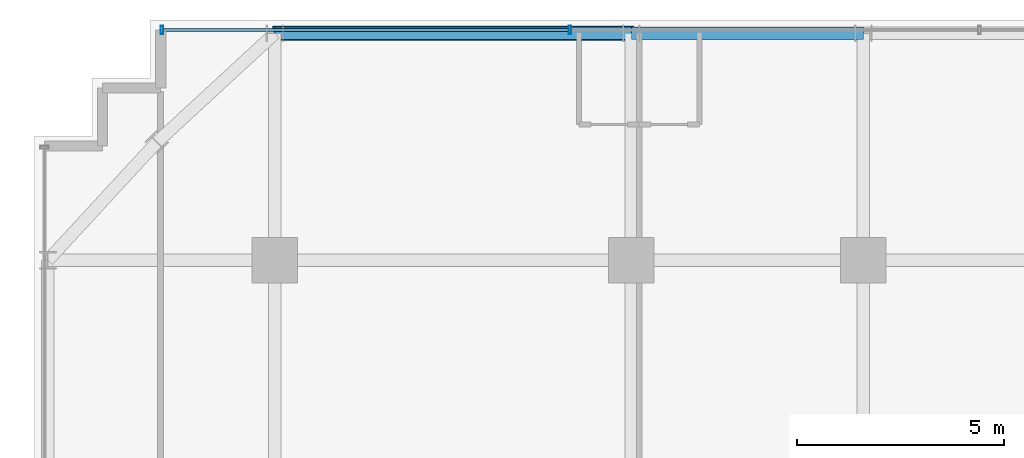
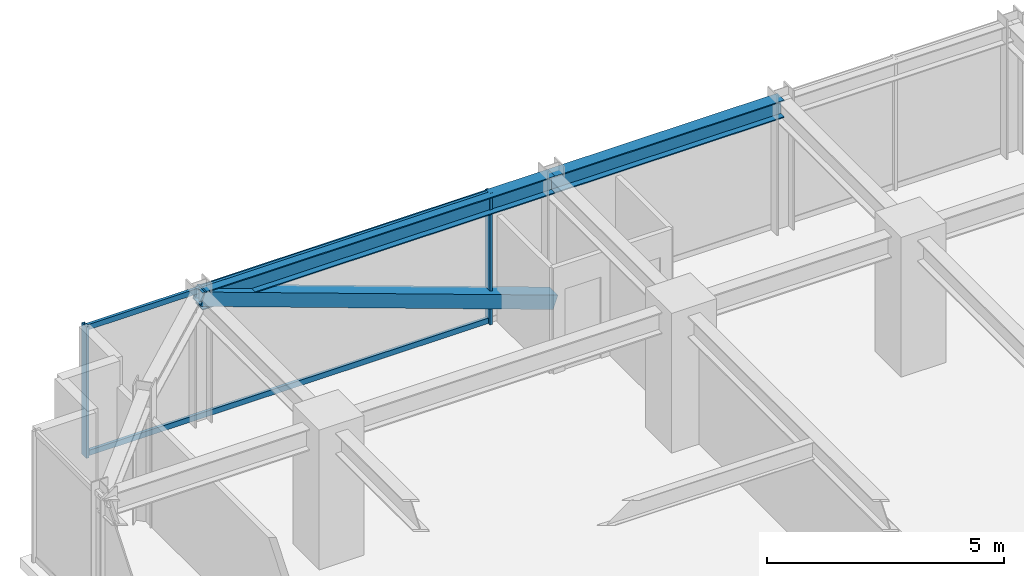
# One storey, part 22 of 35: 5 members, 2 beams, 1 element without a shape of its own.
"""IFC4 building model written with IfcOpenShell, lengths in metres."""

from ifc_helpers import new_model, si_unit, direction, frame, origin, origin_2d, place, context, subcontext, project, spatial, hollow_rectangle, i_section, extrude, source, transform, mapped, material, material_profile, profile_set, type_object, element, aggregate, save


model = new_model("IFC4")

# Units and contexts
model_context = context("Model", 3, precision=1e-05, world=origin(), true_north=direction((0.0, 1.0)))
body_context = subcontext(model_context, "Body", "Model", "MODEL_VIEW")
ifc_project = project(units=[si_unit("LENGTHUNIT", "METRE"), si_unit("AREAUNIT", "SQUARE_METRE"), si_unit("VOLUMEUNIT", "CUBIC_METRE"), si_unit("PLANEANGLEUNIT", "RADIAN"), si_unit("MASSUNIT", "GRAM", prefix="KILO")], contexts=[model_context])

# Site, building, storey
site_placement = place(None, origin())
site = spatial("IfcSite", under=ifc_project, at=site_placement, CompositionType="ELEMENT")
building_placement = place(site_placement, origin())
building = spatial("IfcBuilding", under=site, at=building_placement, Name="Nahalor Promenade Grand Hotel", CompositionType="ELEMENT")
storey_placement = place(building_placement, frame((0.0, 0.0, 185.5)))
storey = spatial("IfcBuildingStorey", under=building, at=storey_placement, Name="L47", CompositionType="ELEMENT", Elevation=185.5)

# Beams
ifc_material_1 = material(Name="Steel S355JR", Category="steel")
ifc_material_profile_1 = material_profile(ifc_material_1, i_section(OverallWidth=0.3, OverallDepth=0.45, WebThickness=0.014, FlangeThickness=0.026, at=origin_2d()), Name="HEB 450")
ifc_profile_set_1 = profile_set([ifc_material_profile_1], Name="Steel S355JR")
beam_type = type_object("IfcBeamType", Name="Beam-Spandrel-HEB450", PredefinedType="SPANDREL", material=ifc_profile_set_1)
shared_shape_1 = source(origin(), body_context, "Body", "SweptSolid", [
    extrude(i_section(OverallWidth=0.3, OverallDepth=0.45, WebThickness=0.014, FlangeThickness=0.026, at=origin_2d()), origin(), (0.0, 0.0, 1.0), 8.60009765625),
])
beam_1_placement = place(storey_placement, frame((-17.0, 22.47998046875, 3.1650390625), z_axis=(1.0, 0.0, 0.0), x_axis=(0.0, 1.0, 0.0)))
element("IfcBeam", 1, at=beam_1_placement, inside=storey, type_object=beam_type, Name="BM-L47-SP-N-0", PredefinedType="SPANDREL", context=body_context, shape_type="MappedRepresentation", body=[
    mapped(shared_shape_1, transform((0.0, 0.0, 0.0), scale=1.0)),
])
shared_shape_2 = source(origin(), body_context, "Body", "SweptSolid", [
    extrude(i_section(OverallWidth=0.3, OverallDepth=0.45, WebThickness=0.014, FlangeThickness=0.026, at=origin_2d()), origin(), (0.0, 0.0, 1.0), 5.599853515625),
])
beam_2_placement = place(storey_placement, frame((-8.39990234375, 22.47998046875, 3.1650390625), z_axis=(1.0, 0.0, 0.0), x_axis=(0.0, 1.0, 0.0)))
element("IfcBeam", 2, at=beam_2_placement, inside=storey, type_object=beam_type, Name="BM-L47-SP-N-1", PredefinedType="SPANDREL", context=body_context, shape_type="MappedRepresentation", body=[
    mapped(shared_shape_2, transform((0.0, 0.0, 0.0), scale=1.0)),
])

# Member
ifc_material_profile_2 = material_profile(ifc_material_1, hollow_rectangle(XDim=0.35, YDim=0.35, WallThickness=0.02, at=origin_2d()), Name="SHS 350x350x20")
ifc_profile_set_2 = profile_set([ifc_material_profile_2], Name="Steel S355JR")
member_type_1 = type_object("IfcMemberType", Name="Mem-VoidBrace-SHS350", PredefinedType="BRACE", material=ifc_profile_set_2)
shared_shape_3 = source(origin(), body_context, "Body", "SweptSolid", [
    extrude(hollow_rectangle(XDim=0.35, YDim=0.35, WallThickness=0.02, at=origin_2d()), origin(), (0.0, 0.0, 1.0), 9.138427734375),
])
member_1_placement = place(storey_placement, frame((-8.39990234375, 22.47998046875, 0.14990234375), z_axis=(-0.941094643271, 0.0, 0.338143272012), x_axis=(0.0, -1.0, 0.0)))
element("IfcMember", 3, at=member_1_placement, inside=storey, type_object=member_type_1, Name="EXO-L47-N-0", PredefinedType="BRACE", context=body_context, shape_type="MappedRepresentation", body=[
    mapped(shared_shape_3, transform((0.0, 0.0, 0.0), scale=1.0)),
])

# Curtain wall, members
ifc_material_2 = material(Name="Anodised Bronze Aluminium EN AW-6063 T6", Category="aluminium")
curtain_wall_type = type_object("IfcCurtainWallType", Name="CW3 Elliptical-Void Collar Unitised Curtain Wall", PredefinedType="USERDEFINED", material=ifc_material_2)
curtain_wall_placement = place(storey_placement, origin())
curtain_wall = element("IfcCurtainWall", 4, at=curtain_wall_placement, inside=storey, type_object=curtain_wall_type, Name="L47 Curtain Wall CW-L47-N-1", ObjectType="UNITISED_CURTAIN_WALL", PredefinedType="USERDEFINED")
ifc_material_profile_3 = material_profile(ifc_material_2, hollow_rectangle(XDim=0.07, YDim=0.14, WallThickness=0.004, at=origin_2d()), Name="CWT 70x140x4")
ifc_profile_set_3 = profile_set([ifc_material_profile_3], Name="Anodised Bronze Aluminium EN AW-6063 T6")
member_type_2 = type_object("IfcMemberType", Name="CWT3 Void Collar Transom 70x140", PredefinedType="USERDEFINED", material=ifc_profile_set_3)
shared_shape_4 = source(origin(), body_context, "Body", "SweptSolid", [
    extrude(hollow_rectangle(XDim=0.07, YDim=0.14, WallThickness=0.004, at=origin_2d()), origin(), (0.0, 0.0, 1.0), 9.77490234375),
])
member_2_placement = place(storey_placement, frame((-19.68994140625, 22.56005859375, 0.070068359375), z_axis=(1.0, 0.0, 0.0), x_axis=(0.0, 1.0, 0.0)))
member_2 = element("IfcMember", 5, at=member_2_placement, type_object=member_type_2, Name="CW-L47-N-1 Transom 0-0", ObjectType="TRANSOM", PredefinedType="USERDEFINED", context=body_context, shape_type="MappedRepresentation", body=[
    mapped(shared_shape_4, transform((0.0, 0.0, 0.0), scale=1.0)),
])
member_3_placement = place(storey_placement, frame((-19.68994140625, 22.56005859375, 3.320068359375), z_axis=(1.0, 0.0, 0.0), x_axis=(0.0, 1.0, 0.0)))
member_3 = element("IfcMember", 6, at=member_3_placement, type_object=member_type_2, Name="CW-L47-N-1 Transom 0-1", ObjectType="TRANSOM", PredefinedType="USERDEFINED", context=body_context, shape_type="MappedRepresentation", body=[
    mapped(shared_shape_4, transform((0.0, 0.0, 0.0), scale=1.0)),
])
ifc_material_profile_4 = material_profile(ifc_material_2, hollow_rectangle(XDim=0.07, YDim=0.2, WallThickness=0.005, at=origin_2d()), Name="CWM 70x200x5")
ifc_profile_set_4 = profile_set([ifc_material_profile_4], Name="Anodised Bronze Aluminium EN AW-6063 T6")
member_type_3 = type_object("IfcMemberType", Name="CWM3 Void Collar Mullion 70x200", PredefinedType="MULLION", material=ifc_profile_set_4)
shared_shape_5 = source(origin(), body_context, "Body", "SweptSolid", [
    extrude(hollow_rectangle(XDim=0.07, YDim=0.2, WallThickness=0.005, at=origin_2d()), origin(), (0.0, 0.0, 1.0), 3.389892578125),
])
member_4_placement = place(storey_placement, frame((-19.72509765625, 22.56005859375, 0.0), z_axis=(0.0, 0.0, 1.0), x_axis=(1.0, 0.0, 0.0)))
member_4 = element("IfcMember", 7, at=member_4_placement, type_object=member_type_3, Name="CW-L47-N-1 Mullion 0", PredefinedType="MULLION", context=body_context, shape_type="MappedRepresentation", body=[
    mapped(shared_shape_5, transform((0.0, 0.0, 0.0), scale=1.0)),
])
member_5_placement = place(storey_placement, frame((-9.8798828125, 22.56005859375, 0.0), z_axis=(0.0, 0.0, 1.0), x_axis=(1.0, 0.0, 0.0)))
member_5 = element("IfcMember", 8, at=member_5_placement, type_object=member_type_3, Name="CW-L47-N-1 Mullion 1", PredefinedType="MULLION", context=body_context, shape_type="MappedRepresentation", body=[
    mapped(shared_shape_5, transform((0.0, 0.0, 0.0), scale=1.0)),
])
aggregate(curtain_wall, [member_4, member_5, member_2, member_3])

save(model, "model.ifc")
